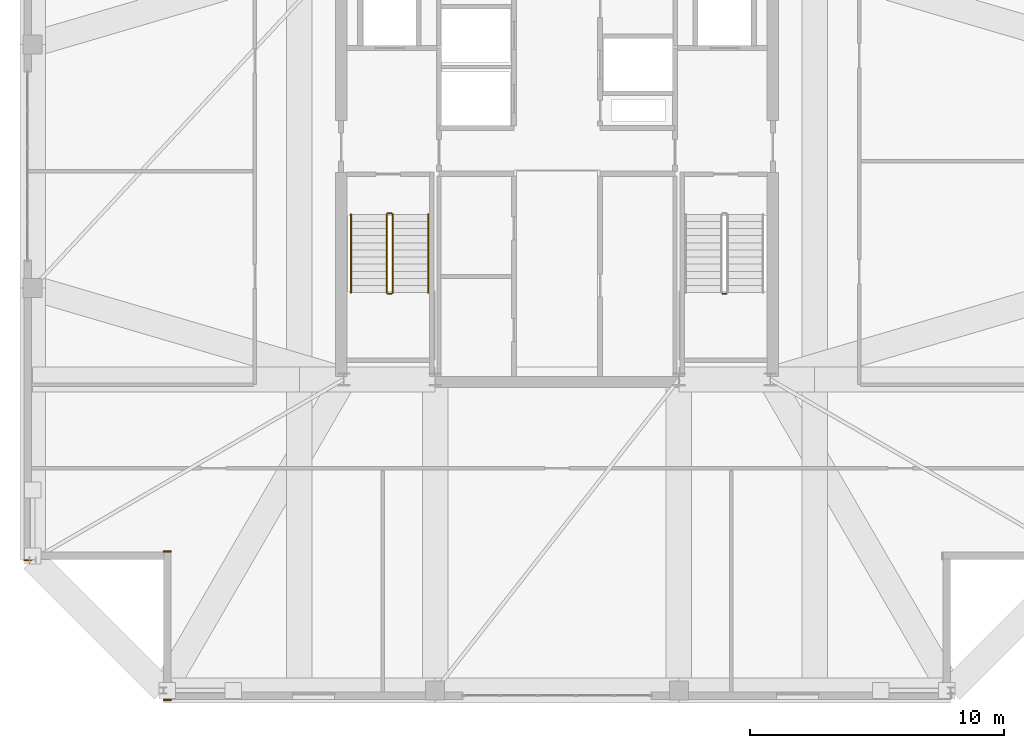
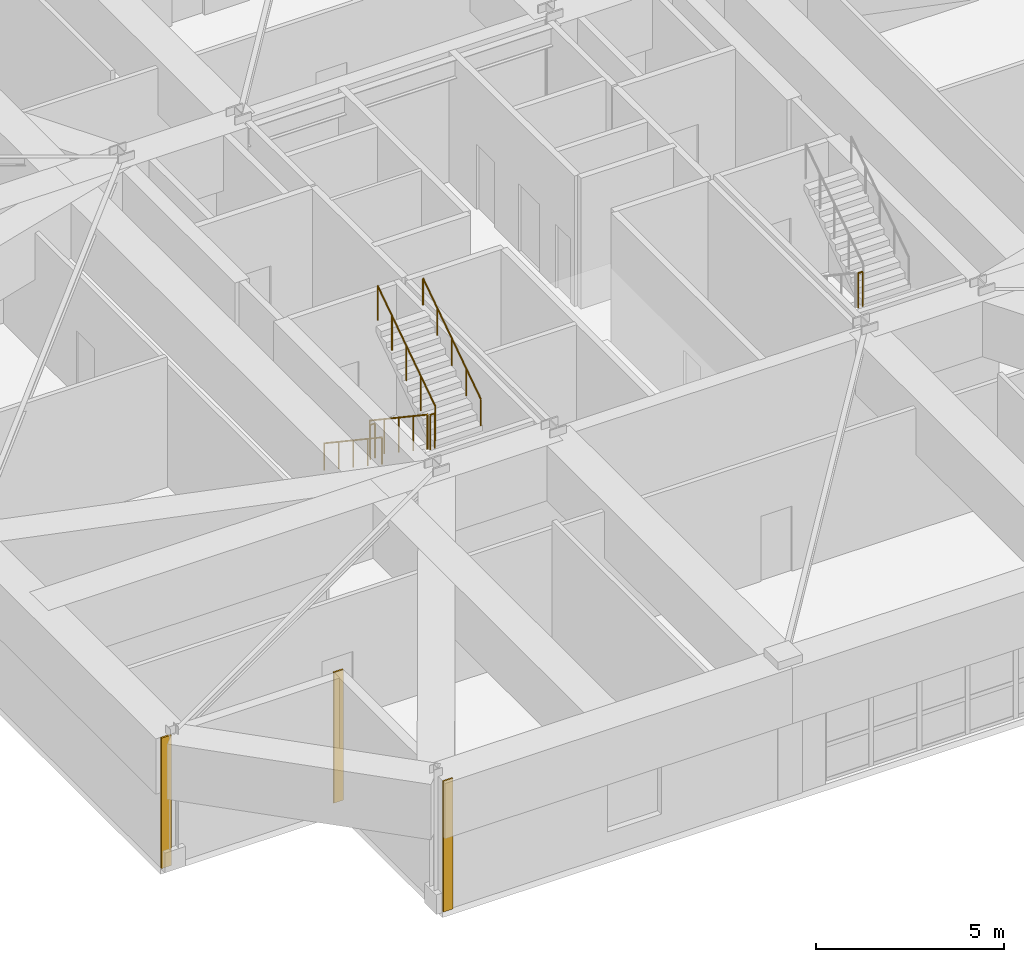
# One storey, part 15 of 17: 7 railings, 3 coverings.
"""IFC4 building model written with IfcOpenShell, lengths in metres."""

import ifcopenshell
import ifcopenshell.guid

model = None  # the IFC model being written
_history = None  # IfcOwnerHistory: only IFC2X3 demands one
_inside = {}  # id of a spatial element -> (the spatial element, [elements in it])
_under = {}  # id of a project, library or spatial element -> (it, [spatial elements below it])
_declared = {}  # id of a project -> (the project, [libraries it declares])
_typed = {}  # id of a type object -> (the type object, [elements of that type])
_made_of = {}  # id of a material, layer set ... -> (it, [elements and type objects made of it])


def new_model(schema):
    """Start an empty IFC model of exactly this schema.

    Asked for "IFC4X3", IfcOpenShell would pick the latest addendum, in which some entities
    have other attributes; the version numbers below select the first issue.
    IFC2X3 requires an IfcOwnerHistory on every rooted entity: one is made here for all.
    """
    global model, _history
    if schema == "IFC4X3":
        model = ifcopenshell.file(schema_version=(4, 3, 0, 0))
    else:
        model = ifcopenshell.file(schema=schema)
    _inside.clear()
    _under.clear()
    _declared.clear()
    _typed.clear()
    _made_of.clear()
    _history = None
    if model.schema == "IFC2X3":
        org = make("IfcOrganization", Name="unknown")
        user = make(
            "IfcPersonAndOrganization",
            ThePerson=make("IfcPerson", FamilyName="unknown"),
            TheOrganization=org,
        )
        app = make(
            "IfcApplication",
            ApplicationDeveloper=org,
            Version="unknown",
            ApplicationFullName="unknown",
            ApplicationIdentifier="unknown",
        )
        _history = make(
            "IfcOwnerHistory",
            OwningUser=user,
            OwningApplication=app,
            ChangeAction="ADDED",
            CreationDate=0,
        )
    return model


def make(cls, **values):
    """One entity of the class cls with the attributes given. An attribute that is None is left unset."""
    return model.create_entity(
        cls, **{name: value for name, value in values.items() if value is not None}
    )


def rooted(cls, **values):
    """An entity with a GlobalId (a new one), such as an element, a storey or a relation."""
    return make(cls, GlobalId=ifcopenshell.guid.new(), OwnerHistory=_history, **values)


def si_unit(unit_type, name, prefix=None):
    """IfcSIUnit, for example si_unit("LENGTHUNIT", "METRE", prefix="MILLI")."""
    return make("IfcSIUnit", UnitType=unit_type, Prefix=prefix, Name=name)


def assignment(units):
    """IfcUnitAssignment: the units of a project."""
    return None if units is None else make("IfcUnitAssignment", Units=units)


def point(xyz):
    """IfcCartesianPoint."""
    return None if xyz is None else make("IfcCartesianPoint", Coordinates=xyz)


def direction(xyz):
    """IfcDirection."""
    return None if xyz is None else make("IfcDirection", DirectionRatios=xyz)


def frame(location, z_axis=None, x_axis=None):
    """IfcAxis2Placement3D, a coordinate frame: its origin and axes. An axis left out is left unset."""
    return make(
        "IfcAxis2Placement3D",
        Location=point(location),
        Axis=direction(z_axis),
        RefDirection=direction(x_axis),
    )


def frame_2d(location, x_axis=None):
    """IfcAxis2Placement2D, a coordinate frame in the plane: its origin and x axis."""
    return make(
        "IfcAxis2Placement2D", Location=point(location), RefDirection=direction(x_axis)
    )


def origin():
    """The frame at (0, 0, 0) with its axes left unset."""
    return frame((0.0, 0.0, 0.0))


def origin_2d():
    """The frame at (0, 0) in the plane with its x axis left unset."""
    return frame_2d((0.0, 0.0))


def place(relative_to, where):
    """IfcLocalPlacement: puts the frame where relative to a parent placement (None: the world)."""
    return make(
        "IfcLocalPlacement", PlacementRelTo=relative_to, RelativePlacement=where
    )


def context(
    kind, dimensions, precision=None, world=None, true_north=None, identifier=None
):
    """IfcGeometricRepresentationContext, for example the 3D "Model" context."""
    return make(
        "IfcGeometricRepresentationContext",
        ContextIdentifier=identifier,
        ContextType=kind,
        CoordinateSpaceDimension=dimensions,
        Precision=precision,
        WorldCoordinateSystem=world,
        TrueNorth=true_north,
    )


def subcontext(parent, identifier, kind, view, scale=None):
    """IfcGeometricRepresentationSubContext, for example "Body" below "Model"."""
    return make(
        "IfcGeometricRepresentationSubContext",
        ContextIdentifier=identifier,
        ContextType=kind,
        ParentContext=parent,
        TargetScale=scale,
        TargetView=view,
    )


def project(units=None, contexts=None):
    """IfcProject with its units and contexts."""
    return rooted(
        "IfcProject",
        Name="project",
        RepresentationContexts=contexts,
        UnitsInContext=assignment(units),
    )


def spatial(cls, under=None, at=None, **own):
    """A site, building, storey or space (cls), placed at a placement, below another one or the project."""
    s = rooted(cls, ObjectPlacement=at, **own)
    if under is not None:
        _under.setdefault(under.id(), (under, []))[1].append(s)
    return s


def profile(cls, at=None, kind="AREA", **sizes):
    """A parametric profile (cls). Its sizes go by their IFC names, for example OverallWidth=200.0."""
    return make(cls, ProfileType=kind, Position=at, **sizes)


def rectangle(**sizes):
    """IfcRectangleProfileDef."""
    return profile("IfcRectangleProfileDef", **sizes)


def circle(**sizes):
    """IfcCircleProfileDef."""
    return profile("IfcCircleProfileDef", **sizes)


def extrude(swept, where, along, depth):
    """IfcExtrudedAreaSolid: the profile swept, set in the frame where, extruded along a direction by depth."""
    return make(
        "IfcExtrudedAreaSolid",
        SweptArea=swept,
        Position=where,
        ExtrudedDirection=direction(along),
        Depth=depth,
    )


def shape(context_of_items, identifier, shape_type, items):
    """IfcShapeRepresentation: the items that make up one representation, for example the "Body"."""
    return make(
        "IfcShapeRepresentation",
        ContextOfItems=context_of_items,
        RepresentationIdentifier=identifier,
        RepresentationType=shape_type,
        Items=items,
    )


def material(Name=None, Category=None):
    """IfcMaterial."""
    return make("IfcMaterial", Name=Name, Category=Category)


def layer(
    of_material, thickness, ventilated=None, Name=None, Category=None, Priority=None
):
    """IfcMaterialLayer: one layer of a wall or slab, of a material (None: an air gap)."""
    return make(
        "IfcMaterialLayer",
        Material=of_material,
        LayerThickness=thickness,
        IsVentilated=ventilated,
        Name=Name,
        Category=Category,
        Priority=Priority,
    )


def layer_set(layers, Name=None):
    """IfcMaterialLayerSet."""
    return make("IfcMaterialLayerSet", MaterialLayers=layers, LayerSetName=Name)


def made_of(thing, what):
    """Note that an element or type object is made of a material, layer set ...; save() writes the relation."""
    if what is not None:
        _made_of.setdefault(what.id(), (what, []))[1].append(thing)
    return thing


def type_object(cls, material=None, **own):
    """A type object (cls), such as IfcWallType, which elements share."""
    return made_of(rooted(cls, **own), material)


def element(
    cls,
    number,
    at=None,
    inside=None,
    cuts=None,
    type_object=None,
    material=None,
    context=None,
    identifier="Body",
    shape_type=None,
    held_by="IfcProductDefinitionShape",
    body=None,
    shapes=None,
    **own,
):
    """One element of the class cls, such as IfcWall. Its Tag is "e" and its number.

    at: its placement. inside: the storey or other place that contains it. cuts: it is an
    opening in that element (IfcRelVoidsElement). A single representation is given by context,
    identifier, shape_type and body (its items); several are given by shapes. held_by: the class
    of the entity that holds the representations. save() writes the other relations.
    """
    e = rooted(cls, Tag="e%d" % number, ObjectPlacement=at, **own)
    if body is not None:
        shapes = [shape(context, identifier, shape_type, body)]
    if shapes is not None:
        e.Representation = make(held_by, Representations=shapes)
    if inside is not None:
        _inside.setdefault(inside.id(), (inside, []))[1].append(e)
    if cuts is not None:
        rooted(
            "IfcRelVoidsElement", RelatingBuildingElement=cuts, RelatedOpeningElement=e
        )
    if type_object is not None:
        _typed.setdefault(type_object.id(), (type_object, []))[1].append(e)
    return made_of(e, material)


def aggregate(whole, parts):
    """IfcRelAggregates: a whole, such as a stair, and the parts it consists of."""
    return rooted("IfcRelAggregates", RelatingObject=whole, RelatedObjects=parts)


def save(model, path):
    """Write the relations noted so far, then the file.

    IfcRelAggregates (storeys below a building ...), IfcRelContainedInSpatialStructure (elements
    in a storey), IfcRelDefinesByType, IfcRelAssociatesMaterial and IfcRelDeclares: one each for
    every whole, place, type object, material and project.
    """
    for whole, parts in _under.values():
        aggregate(whole, parts)
    for where, things in _inside.values():
        rooted(
            "IfcRelContainedInSpatialStructure",
            RelatedElements=things,
            RelatingStructure=where,
        )
    for kind, things in _typed.values():
        rooted("IfcRelDefinesByType", RelatedObjects=things, RelatingType=kind)
    for what, things in _made_of.values():
        rooted("IfcRelAssociatesMaterial", RelatedObjects=things, RelatingMaterial=what)
    for by, libraries in _declared.values():
        rooted("IfcRelDeclares", RelatingContext=by, RelatedDefinitions=libraries)
    model.write(path)


model = new_model("IFC4")

# Units and contexts
model_context = context("Model", 3, precision=1e-05, world=origin(), true_north=direction((0.0, 1.0)))
body_context = subcontext(model_context, "Body", "Model", "MODEL_VIEW")
ifc_project = project(units=[si_unit("LENGTHUNIT", "METRE"), si_unit("AREAUNIT", "SQUARE_METRE"), si_unit("VOLUMEUNIT", "CUBIC_METRE"), si_unit("PLANEANGLEUNIT", "RADIAN"), si_unit("MASSUNIT", "GRAM", prefix="KILO")], contexts=[model_context])

# Site, building, storey
site_placement = place(None, origin())
site = spatial("IfcSite", under=ifc_project, at=site_placement, CompositionType="ELEMENT")
building_placement = place(site_placement, origin())
building = spatial("IfcBuilding", under=site, at=building_placement, Name="Cairnveth Concourse Tower", CompositionType="ELEMENT")
storey_placement = place(building_placement, frame((0.0, 0.0, 320.0)))
storey = spatial("IfcBuildingStorey", under=building, at=storey_placement, Name="L88", CompositionType="ELEMENT", Elevation=320.0)

# Coverings
ifc_material_1 = material(Name="Dressed Melbourne Bluestone Cladding", Category="masonry")
ifc_layer = layer(ifc_material_1, 0.050048828125)
ifc_layer_set = layer_set([ifc_layer], Name="Dressed Melbourne Bluestone Cladding")
covering_type = type_object("IfcCoveringType", Name="DRESSED BLUESTONE PLINTH CLADDING 50", PredefinedType="CLADDING", material=ifc_layer_set)
for number, where, z_axis, x_axis, name in (
    (1, (36.800048828125, 17.97998046875, 0.0), (0.0, 0.0, 1.0), (-1.0, 0.0, 0.0), "Melbourne Bluestone Corner Quoin L88-1346"),
    (2, (36.800048828125, 23.820068359375, 0.0), (0.0, 0.0, 1.0), (-1.0, 0.0, 0.0), "Melbourne Bluestone Corner Quoin L88-1347"),
    (3, (31.300048828125, 23.47998046875, 0.0), (0.0, 0.0, 1.0), (-1.0, 0.0, 0.0), "Melbourne Bluestone Corner Quoin L88-1348"),
):
    element("IfcCovering", number, at=place(storey_placement, frame(where, z_axis=z_axis, x_axis=x_axis)), inside=storey, type_object=covering_type, Name=name, PredefinedType="CLADDING", context=body_context, shape_type="SweptSolid", body=[
        extrude(rectangle(XDim=0.300048828125, YDim=0.050048828125, at=frame_2d((0.14990234375, 0.0))), origin(), (0.0, 0.0, 1.0), 4.25),
    ])

# Railings
ifc_material_2 = material(Name="Steel Grade 350", Category="steel")
railing_type_1 = type_object("IfcRailingType", Name="STAIR GUARDRAIL 1150", PredefinedType="GUARDRAIL", material=ifc_material_2)
railing_1_placement = place(storey_placement, frame((45.2900390625, 37.10009765625, 0.1875)))
element("IfcRailing", 4, at=railing_1_placement, inside=storey, type_object=railing_type_1, Name="L88 ST-1 stair guard 1", PredefinedType="GUARDRAIL", context=body_context, shape_type="SweptSolid", body=[
    extrude(circle(Radius=0.02392578125, at=origin_2d()), frame((0.0, 0.0, 1.1259765625), z_axis=(0.0, -0.830913701846, 0.55640131208), x_axis=(1.0, 0.0, 0.0)), (0.0, 0.0, 1.0), 3.706787109375),
    extrude(circle(Radius=0.02099609375, at=origin_2d()), origin(), (0.0, 0.0, 1.0), 1.101806640625),
    extrude(circle(Radius=0.02099609375, at=origin_2d()), frame((0.0, -0.77001953125, 0.515625)), (0.0, 0.0, 1.0), 1.101806640625),
    extrude(circle(Radius=0.02099609375, at=origin_2d()), frame((0.0, -1.5400390625, 1.03125)), (0.0, 0.0, 1.0), 1.101806640625),
    extrude(circle(Radius=0.02099609375, at=origin_2d()), frame((0.0, -2.31005859375, 1.546875)), (0.0, 0.0, 1.0), 1.101806640625),
    extrude(circle(Radius=0.02099609375, at=origin_2d()), frame((0.0, -3.080078125, 2.0625)), (0.0, 0.0, 1.0), 1.101806640625),
])
railing_2_placement = place(storey_placement, frame((45.340087890625, 33.969970703125, 2.25)))
element("IfcRailing", 5, at=railing_2_placement, inside=storey, type_object=railing_type_1, Name="L88 ST-1 stair guard 2", PredefinedType="GUARDRAIL", context=body_context, shape_type="SweptSolid", body=[
    extrude(circle(Radius=0.02392578125, at=origin_2d()), frame((0.0, 0.0, 1.1259765625), z_axis=(1.0, 0.0, 0.0), x_axis=(0.0, 1.0, 0.0)), (0.0, 0.0, 1.0), 0.139892578125),
    extrude(circle(Radius=0.02099609375, at=origin_2d()), origin(), (0.0, 0.0, 1.0), 1.101806640625),
    extrude(circle(Radius=0.02099609375, at=origin_2d()), frame((0.139892578125, 0.0, 0.0)), (0.0, 0.0, 1.0), 1.101806640625),
])
railing_3_placement = place(storey_placement, frame((45.530029296875, 34.02001953125, 2.4375)))
element("IfcRailing", 6, at=railing_3_placement, inside=storey, type_object=railing_type_1, Name="L88 ST-1 stair guard 3", PredefinedType="GUARDRAIL", context=body_context, shape_type="SweptSolid", body=[
    extrude(circle(Radius=0.02392578125, at=origin_2d()), frame((0.0, 0.0, 1.1259765625), z_axis=(0.0, 0.830913701846, 0.55640131208), x_axis=(-1.0, 0.0, 0.0)), (0.0, 0.0, 1.0), 3.706787109375),
    extrude(circle(Radius=0.02099609375, at=origin_2d()), origin(), (0.0, 0.0, 1.0), 1.101806640625),
    extrude(circle(Radius=0.02099609375, at=origin_2d()), frame((0.0, 0.77001953125, 0.515625)), (0.0, 0.0, 1.0), 1.101806640625),
    extrude(circle(Radius=0.02099609375, at=origin_2d()), frame((0.0, 1.5400390625, 1.03125)), (0.0, 0.0, 1.0), 1.101806640625),
    extrude(circle(Radius=0.02099609375, at=origin_2d()), frame((0.0, 2.31005859375, 1.546875)), (0.0, 0.0, 1.0), 1.101806640625),
    extrude(circle(Radius=0.02099609375, at=origin_2d()), frame((0.0, 3.080078125, 2.0625)), (0.0, 0.0, 1.0), 1.101806640625),
])
for number, where, name in (
    (7, (45.340087890625, 37.14990234375, 0.0), "L88 ST-1 stair guard 4"),
    (8, (58.52001953125, 33.969970703125, 2.25), "L88 ST-2 stair guard 2"),
):
    element("IfcRailing", number, at=place(storey_placement, frame(where)), inside=storey, type_object=railing_type_1, Name=name, PredefinedType="GUARDRAIL", context=body_context, shape_type="SweptSolid", body=[
        extrude(circle(Radius=0.02392578125, at=origin_2d()), frame((0.0, 0.0, 1.1259765625), z_axis=(1.0, 0.0, 0.0), x_axis=(0.0, 1.0, 0.0)), (0.0, 0.0, 1.0), 0.139892578125),
        extrude(circle(Radius=0.02099609375, at=origin_2d()), origin(), (0.0, 0.0, 1.0), 1.101806640625),
        extrude(circle(Radius=0.02099609375, at=origin_2d()), frame((0.139892578125, 0.0, 0.0)), (0.0, 0.0, 1.0), 1.101806640625),
    ])
railing_type_2 = type_object("IfcRailingType", Name="STAIR WALL HANDRAIL 900", PredefinedType="HANDRAIL", material=ifc_material_2)
railing_4_placement = place(storey_placement, frame((43.889892578125, 37.10009765625, 0.1875)))
element("IfcRailing", 9, at=railing_4_placement, inside=storey, type_object=railing_type_2, Name="L88 ST-1 stair handrail 1", PredefinedType="HANDRAIL", context=body_context, shape_type="SweptSolid", body=[
    extrude(circle(Radius=0.02392578125, at=origin_2d()), frame((0.0, 0.0, 0.8759765625), z_axis=(0.0, -0.830913701846, 0.55640131208), x_axis=(1.0, 0.0, 0.0)), (0.0, 0.0, 1.0), 3.706787109375),
    extrude(circle(Radius=0.02099609375, at=origin_2d()), origin(), (0.0, 0.0, 1.0), 0.851806640625),
    extrude(circle(Radius=0.02099609375, at=origin_2d()), frame((0.0, -0.77001953125, 0.515625)), (0.0, 0.0, 1.0), 0.851806640625),
    extrude(circle(Radius=0.02099609375, at=origin_2d()), frame((0.0, -1.5400390625, 1.03125)), (0.0, 0.0, 1.0), 0.851806640625),
    extrude(circle(Radius=0.02099609375, at=origin_2d()), frame((0.0, -2.31005859375, 1.546875)), (0.0, 0.0, 1.0), 0.851806640625),
    extrude(circle(Radius=0.02099609375, at=origin_2d()), frame((0.0, -3.080078125, 2.0625)), (0.0, 0.0, 1.0), 0.851806640625),
])
railing_5_placement = place(storey_placement, frame((46.929931640625, 34.02001953125, 2.4375)))
element("IfcRailing", 10, at=railing_5_placement, inside=storey, type_object=railing_type_2, Name="L88 ST-1 stair handrail 2", PredefinedType="HANDRAIL", context=body_context, shape_type="SweptSolid", body=[
    extrude(circle(Radius=0.02392578125, at=origin_2d()), frame((0.0, 0.0, 0.8759765625), z_axis=(0.0, 0.830913701846, 0.55640131208), x_axis=(-1.0, 0.0, 0.0)), (0.0, 0.0, 1.0), 3.706787109375),
    extrude(circle(Radius=0.02099609375, at=origin_2d()), origin(), (0.0, 0.0, 1.0), 0.851806640625),
    extrude(circle(Radius=0.02099609375, at=origin_2d()), frame((0.0, 0.77001953125, 0.515625)), (0.0, 0.0, 1.0), 0.851806640625),
    extrude(circle(Radius=0.02099609375, at=origin_2d()), frame((0.0, 1.5400390625, 1.03125)), (0.0, 0.0, 1.0), 0.851806640625),
    extrude(circle(Radius=0.02099609375, at=origin_2d()), frame((0.0, 2.31005859375, 1.546875)), (0.0, 0.0, 1.0), 0.851806640625),
    extrude(circle(Radius=0.02099609375, at=origin_2d()), frame((0.0, 3.080078125, 2.0625)), (0.0, 0.0, 1.0), 0.851806640625),
])

save(model, "model.ifc")
